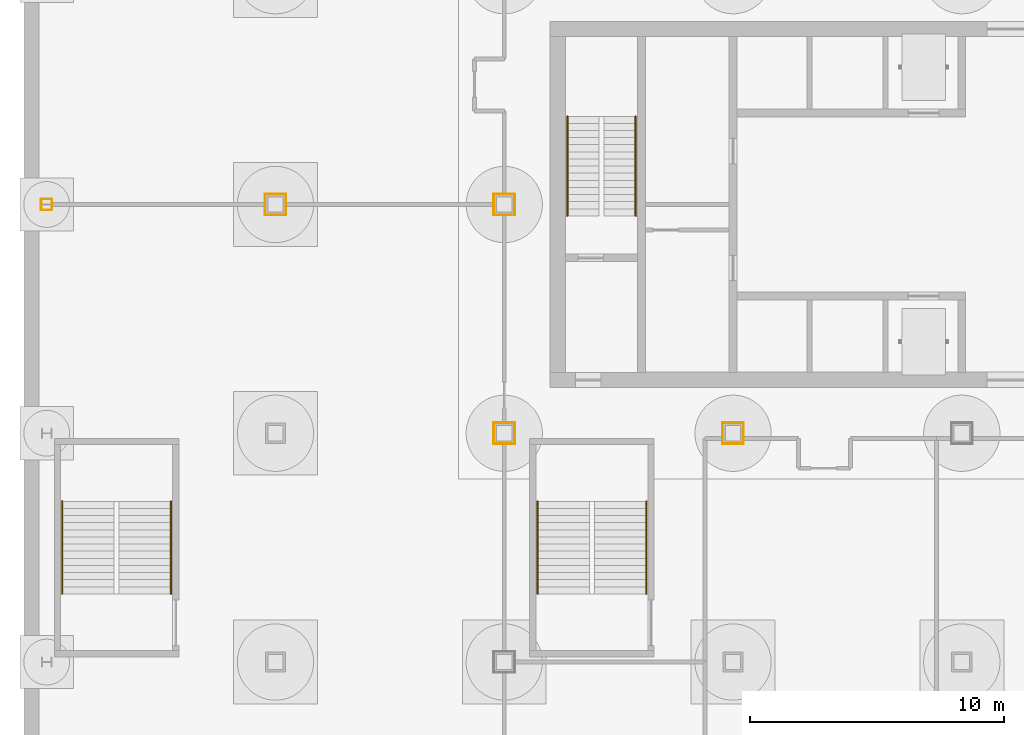
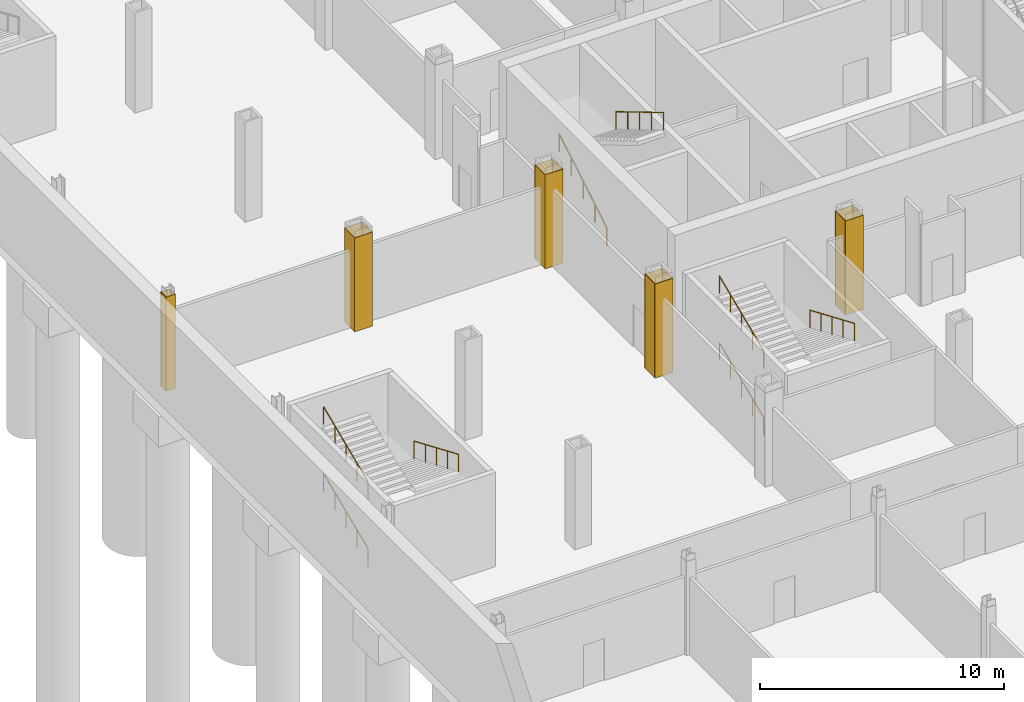
# One storey, part 20 of 28: 20 coverings, 8 railings.
"""IFC4 building model written with IfcOpenShell, lengths in metres."""

from ifc_helpers import new_model, si_unit, direction, frame, origin, origin_2d, place, context, subcontext, project, spatial, rectangle, circle, extrude, material, layer, layer_set, type_object, element, save


model = new_model("IFC4")

# Units and contexts
model_context = context("Model", 3, precision=1e-05, world=origin(), true_north=direction((0.0, 1.0)))
body_context = subcontext(model_context, "Body", "Model", "MODEL_VIEW")
ifc_project = project(units=[si_unit("LENGTHUNIT", "METRE"), si_unit("AREAUNIT", "SQUARE_METRE"), si_unit("VOLUMEUNIT", "CUBIC_METRE"), si_unit("PLANEANGLEUNIT", "RADIAN"), si_unit("MASSUNIT", "GRAM", prefix="KILO")], contexts=[model_context])

# Site, building, storey
site_placement = place(None, origin())
site = spatial("IfcSite", under=ifc_project, at=site_placement, CompositionType="ELEMENT")
building_placement = place(site_placement, origin())
building = spatial("IfcBuilding", under=site, at=building_placement, Name="Loomwork Tower", CompositionType="ELEMENT")
storey_placement = place(building_placement, frame((0.0, 0.0, -10.5)))
storey = spatial("IfcBuildingStorey", under=building, at=storey_placement, Name="B2", CompositionType="ELEMENT", Elevation=-10.5)

# Coverings
ifc_material_1 = material(Name="Two-hour fire-rated gypsum board casing")
ifc_layer = layer(ifc_material_1, 0.02490234375)
ifc_layer_set = layer_set([ifc_layer], Name="Column fire casing 25")
covering_type = type_object("IfcCoveringType", Name="Column fire casing 25", PredefinedType="CLADDING", material=ifc_layer_set)
for number, where, z_axis, x_axis, name in (
    (1, (-9.0, 18.213134765625, 0.0), (0.0, 0.0, 1.0), (1.0, 0.0, 0.0), "Column casing -9 18 B2"),
    (2, (-9.0, 17.786865234375, 0.0), (0.0, 0.0, 1.0), (1.0, 0.0, 0.0), "Column casing -9 18 B2"),
):
    element("IfcCovering", number, at=place(storey_placement, frame(where, z_axis=z_axis, x_axis=x_axis)), inside=storey, type_object=covering_type, Name=name, PredefinedType="CLADDING", context=body_context, shape_type="SweptSolid", body=[
        extrude(rectangle(XDim=0.44873046875, YDim=0.02490234375, at=origin_2d()), origin(), (0.0, 0.0, 1.0), 4.699951171875),
    ])
for number, where, z_axis, x_axis, name in (
    (3, (-8.7880859375, 18.0, 0.0), (0.0, 0.0, 1.0), (1.0, 0.0, 0.0), "Column casing -9 18 B2"),
    (4, (-9.2119140625, 18.0, 0.0), (0.0, 0.0, 1.0), (1.0, 0.0, 0.0), "Column casing -9 18 B2"),
):
    element("IfcCovering", number, at=place(storey_placement, frame(where, z_axis=z_axis, x_axis=x_axis)), inside=storey, type_object=covering_type, Name=name, PredefinedType="CLADDING", context=body_context, shape_type="SweptSolid", body=[
        extrude(rectangle(XDim=0.02490234375, YDim=0.4013671875, at=origin_2d()), origin(), (0.0, 0.0, 1.0), 4.699951171875),
    ])
for number, where, z_axis, x_axis, name in (
    (5, (0.0, 18.41259765625, 0.0), (0.0, 0.0, 1.0), (1.0, 0.0, 0.0), "Column casing 0 18 B2"),
    (6, (0.0, 17.58740234375, 0.0), (0.0, 0.0, 1.0), (1.0, 0.0, 0.0), "Column casing 0 18 B2"),
):
    element("IfcCovering", number, at=place(storey_placement, frame(where, z_axis=z_axis, x_axis=x_axis)), inside=storey, type_object=covering_type, Name=name, PredefinedType="CLADDING", context=body_context, shape_type="SweptSolid", body=[
        extrude(rectangle(XDim=0.85009765625, YDim=0.02490234375, at=origin_2d()), origin(), (0.0, 0.0, 1.0), 4.699951171875),
    ])
for number, where, z_axis, x_axis, name in (
    (7, (0.41259765625, 18.0, 0.0), (0.0, 0.0, 1.0), (1.0, 0.0, 0.0), "Column casing 0 18 B2"),
    (8, (-0.41259765625, 18.0, 0.0), (0.0, 0.0, 1.0), (1.0, 0.0, 0.0), "Column casing 0 18 B2"),
):
    element("IfcCovering", number, at=place(storey_placement, frame(where, z_axis=z_axis, x_axis=x_axis)), inside=storey, type_object=covering_type, Name=name, PredefinedType="CLADDING", context=body_context, shape_type="SweptSolid", body=[
        extrude(rectangle(XDim=0.02490234375, YDim=0.800048828125, at=origin_2d()), origin(), (0.0, 0.0, 1.0), 4.699951171875),
    ])
for number, where, z_axis, x_axis, name in (
    (9, (9.0, 9.41259765625, 0.0), (0.0, 0.0, 1.0), (1.0, 0.0, 0.0), "Column casing 9 9 B2"),
    (10, (9.0, 8.58740234375, 0.0), (0.0, 0.0, 1.0), (1.0, 0.0, 0.0), "Column casing 9 9 B2"),
):
    element("IfcCovering", number, at=place(storey_placement, frame(where, z_axis=z_axis, x_axis=x_axis)), inside=storey, type_object=covering_type, Name=name, PredefinedType="CLADDING", context=body_context, shape_type="SweptSolid", body=[
        extrude(rectangle(XDim=0.85009765625, YDim=0.02490234375, at=origin_2d()), origin(), (0.0, 0.0, 1.0), 4.699951171875),
    ])
for number, where, z_axis, x_axis, name in (
    (11, (9.41259765625, 9.0, 0.0), (0.0, 0.0, 1.0), (1.0, 0.0, 0.0), "Column casing 9 9 B2"),
    (12, (8.58740234375, 9.0, 0.0), (0.0, 0.0, 1.0), (1.0, 0.0, 0.0), "Column casing 9 9 B2"),
):
    element("IfcCovering", number, at=place(storey_placement, frame(where, z_axis=z_axis, x_axis=x_axis)), inside=storey, type_object=covering_type, Name=name, PredefinedType="CLADDING", context=body_context, shape_type="SweptSolid", body=[
        extrude(rectangle(XDim=0.02490234375, YDim=0.800048828125, at=origin_2d()), origin(), (0.0, 0.0, 1.0), 4.699951171875),
    ])
for number, where, z_axis, x_axis, name in (
    (13, (9.0, 18.41259765625, 0.0), (0.0, 0.0, 1.0), (1.0, 0.0, 0.0), "Column casing 9 18 B2"),
    (14, (9.0, 17.58740234375, 0.0), (0.0, 0.0, 1.0), (1.0, 0.0, 0.0), "Column casing 9 18 B2"),
):
    element("IfcCovering", number, at=place(storey_placement, frame(where, z_axis=z_axis, x_axis=x_axis)), inside=storey, type_object=covering_type, Name=name, PredefinedType="CLADDING", context=body_context, shape_type="SweptSolid", body=[
        extrude(rectangle(XDim=0.85009765625, YDim=0.02490234375, at=origin_2d()), origin(), (0.0, 0.0, 1.0), 4.699951171875),
    ])
for number, where, z_axis, x_axis, name in (
    (15, (9.41259765625, 18.0, 0.0), (0.0, 0.0, 1.0), (1.0, 0.0, 0.0), "Column casing 9 18 B2"),
    (16, (8.58740234375, 18.0, 0.0), (0.0, 0.0, 1.0), (1.0, 0.0, 0.0), "Column casing 9 18 B2"),
):
    element("IfcCovering", number, at=place(storey_placement, frame(where, z_axis=z_axis, x_axis=x_axis)), inside=storey, type_object=covering_type, Name=name, PredefinedType="CLADDING", context=body_context, shape_type="SweptSolid", body=[
        extrude(rectangle(XDim=0.02490234375, YDim=0.800048828125, at=origin_2d()), origin(), (0.0, 0.0, 1.0), 4.699951171875),
    ])
for number, where, z_axis, x_axis, name in (
    (17, (18.0, 9.41259765625, 0.0), (0.0, 0.0, 1.0), (1.0, 0.0, 0.0), "Column casing 18 9 B2"),
    (18, (18.0, 8.58740234375, 0.0), (0.0, 0.0, 1.0), (1.0, 0.0, 0.0), "Column casing 18 9 B2"),
):
    element("IfcCovering", number, at=place(storey_placement, frame(where, z_axis=z_axis, x_axis=x_axis)), inside=storey, type_object=covering_type, Name=name, PredefinedType="CLADDING", context=body_context, shape_type="SweptSolid", body=[
        extrude(rectangle(XDim=0.85009765625, YDim=0.02490234375, at=origin_2d()), origin(), (0.0, 0.0, 1.0), 4.699951171875),
    ])
for number, where, z_axis, x_axis, name in (
    (19, (18.41259765625, 9.0, 0.0), (0.0, 0.0, 1.0), (1.0, 0.0, 0.0), "Column casing 18 9 B2"),
    (20, (17.58740234375, 9.0, 0.0), (0.0, 0.0, 1.0), (1.0, 0.0, 0.0), "Column casing 18 9 B2"),
):
    element("IfcCovering", number, at=place(storey_placement, frame(where, z_axis=z_axis, x_axis=x_axis)), inside=storey, type_object=covering_type, Name=name, PredefinedType="CLADDING", context=body_context, shape_type="SweptSolid", body=[
        extrude(rectangle(XDim=0.02490234375, YDim=0.800048828125, at=origin_2d()), origin(), (0.0, 0.0, 1.0), 4.699951171875),
    ])

# Railings
ifc_material_2 = material(Name="Stainless steel handrail", Category="steel")
railing_type = type_object("IfcRailingType", Name="Handrail 900", PredefinedType="HANDRAIL", material=ifc_material_2)
railing_1_placement = place(storey_placement, frame((11.485107421875, 17.550048828125, 0.166748046875)))
element("IfcRailing", 21, at=railing_1_placement, inside=storey, type_object=railing_type, Name="Stair A handrail flight 1 B2", PredefinedType="HANDRAIL", context=body_context, shape_type="SweptSolid", body=[
    extrude(circle(Radius=0.02392578125, at=origin_2d()), frame((0.0, 0.0, 0.8759765625), z_axis=(0.0, 0.859296244711, 0.511478214419), x_axis=(-1.0, 0.0, 0.0)), (0.0, 0.0, 1.0), 4.561767578125),
    extrude(circle(Radius=0.02099609375, at=origin_2d()), origin(), (0.0, 0.0, 1.0), 0.851806640625),
    extrude(circle(Radius=0.02099609375, at=origin_2d()), frame((0.0, 0.97998046875, 0.583251953125)), (0.0, 0.0, 1.0), 0.851806640625),
    extrude(circle(Radius=0.02099609375, at=origin_2d()), frame((0.0, 1.9599609375, 1.16650390625)), (0.0, 0.0, 1.0), 0.851806640625),
    extrude(circle(Radius=0.02099609375, at=origin_2d()), frame((0.0, 2.93994140625, 1.75)), (0.0, 0.0, 1.0), 0.851806640625),
    extrude(circle(Radius=0.02099609375, at=origin_2d()), frame((0.0, 3.919921875, 2.333251953125)), (0.0, 0.0, 1.0), 0.851806640625),
])
railing_2_placement = place(storey_placement, frame((14.1650390625, 21.469970703125, 2.666748046875)))
element("IfcRailing", 22, at=railing_2_placement, inside=storey, type_object=railing_type, Name="Stair A handrail flight 2 B2", PredefinedType="HANDRAIL", context=body_context, shape_type="SweptSolid", body=[
    extrude(circle(Radius=0.02392578125, at=origin_2d()), frame((0.0, 0.0, 0.8759765625), z_axis=(0.0, -0.859296244711, 0.511478214419), x_axis=(1.0, 0.0, 0.0)), (0.0, 0.0, 1.0), 4.561767578125),
    extrude(circle(Radius=0.02099609375, at=origin_2d()), origin(), (0.0, 0.0, 1.0), 0.851806640625),
    extrude(circle(Radius=0.02099609375, at=origin_2d()), frame((0.0, -0.97998046875, 0.583251953125)), (0.0, 0.0, 1.0), 0.851806640625),
    extrude(circle(Radius=0.02099609375, at=origin_2d()), frame((0.0, -1.9599609375, 1.16650390625)), (0.0, 0.0, 1.0), 0.851806640625),
    extrude(circle(Radius=0.02099609375, at=origin_2d()), frame((0.0, -2.93994140625, 1.75)), (0.0, 0.0, 1.0), 0.851806640625),
    extrude(circle(Radius=0.02099609375, at=origin_2d()), frame((0.0, -3.919921875, 2.333251953125)), (0.0, 0.0, 1.0), 0.851806640625),
])
railing_3_placement = place(storey_placement, frame((-8.389892578125, 2.679931640625, 0.118896484375)))
element("IfcRailing", 23, at=railing_3_placement, inside=storey, type_object=railing_type, Name="Podium stair PS5 handrail flight 1 B2", PredefinedType="HANDRAIL", context=body_context, shape_type="SweptSolid", body=[
    extrude(circle(Radius=0.02392578125, at=origin_2d()), frame((0.0, 0.0, 0.8759765625), z_axis=(0.0, 0.920258693564, 0.391310537706), x_axis=(-1.0, 0.0, 0.0)), (0.0, 0.0, 1.0), 3.95556640625),
    extrude(circle(Radius=0.02099609375, at=origin_2d()), origin(), (0.0, 0.0, 1.0), 0.851806640625),
    extrude(circle(Radius=0.02099609375, at=origin_2d()), frame((0.0, 0.91015625, 0.386962890625)), (0.0, 0.0, 1.0), 0.851806640625),
    extrude(circle(Radius=0.02099609375, at=origin_2d()), frame((0.0, 1.820068359375, 0.77392578125)), (0.0, 0.0, 1.0), 0.851806640625),
    extrude(circle(Radius=0.02099609375, at=origin_2d()), frame((0.0, 2.72998046875, 1.160888671875)), (0.0, 0.0, 1.0), 0.851806640625),
    extrude(circle(Radius=0.02099609375, at=origin_2d()), frame((0.0, 3.64013671875, 1.5478515625)), (0.0, 0.0, 1.0), 0.851806640625),
])
railing_4_placement = place(storey_placement, frame((-4.110107421875, 6.320068359375, 1.78564453125)))
element("IfcRailing", 24, at=railing_4_placement, inside=storey, type_object=railing_type, Name="Podium stair PS5 handrail flight 2 B2", PredefinedType="HANDRAIL", context=body_context, shape_type="SweptSolid", body=[
    extrude(circle(Radius=0.02392578125, at=origin_2d()), frame((0.0, 0.0, 0.8759765625), z_axis=(0.0, -0.920258693564, 0.391310537706), x_axis=(1.0, 0.0, 0.0)), (0.0, 0.0, 1.0), 3.95556640625),
    extrude(circle(Radius=0.02099609375, at=origin_2d()), origin(), (0.0, 0.0, 1.0), 0.851806640625),
    extrude(circle(Radius=0.02099609375, at=origin_2d()), frame((0.0, -0.91015625, 0.386962890625)), (0.0, 0.0, 1.0), 0.851806640625),
    extrude(circle(Radius=0.02099609375, at=origin_2d()), frame((0.0, -1.820068359375, 0.77392578125)), (0.0, 0.0, 1.0), 0.851806640625),
    extrude(circle(Radius=0.02099609375, at=origin_2d()), frame((0.0, -2.72998046875, 1.160888671875)), (0.0, 0.0, 1.0), 0.851806640625),
    extrude(circle(Radius=0.02099609375, at=origin_2d()), frame((0.0, -3.64013671875, 1.5478515625)), (0.0, 0.0, 1.0), 0.851806640625),
])
railing_5_placement = place(storey_placement, frame((-8.389892578125, 2.679931640625, 3.452392578125)))
element("IfcRailing", 25, at=railing_5_placement, inside=storey, type_object=railing_type, Name="Podium stair PS5 handrail flight 3 B2", PredefinedType="HANDRAIL", context=body_context, shape_type="SweptSolid", body=[
    extrude(circle(Radius=0.02392578125, at=origin_2d()), frame((0.0, 0.0, 0.8759765625), z_axis=(0.0, 0.920280918742, 0.391258265855), x_axis=(-1.0, 0.0, 0.0)), (0.0, 0.0, 1.0), 3.95556640625),
    extrude(circle(Radius=0.02099609375, at=origin_2d()), origin(), (0.0, 0.0, 1.0), 0.851806640625),
    extrude(circle(Radius=0.02099609375, at=origin_2d()), frame((0.0, 0.91015625, 0.386962890625)), (0.0, 0.0, 1.0), 0.851806640625),
    extrude(circle(Radius=0.02099609375, at=origin_2d()), frame((0.0, 1.820068359375, 0.77392578125)), (0.0, 0.0, 1.0), 0.851806640625),
    extrude(circle(Radius=0.02099609375, at=origin_2d()), frame((0.0, 2.72998046875, 1.16064453125)), (0.0, 0.0, 1.0), 0.851806640625),
    extrude(circle(Radius=0.02099609375, at=origin_2d()), frame((0.0, 3.64013671875, 1.547607421875)), (0.0, 0.0, 1.0), 0.851806640625),
])
railing_6_placement = place(storey_placement, frame((10.31005859375, 2.679931640625, 0.118896484375)))
element("IfcRailing", 26, at=railing_6_placement, inside=storey, type_object=railing_type, Name="Podium stair PS12 handrail flight 1 B2", PredefinedType="HANDRAIL", context=body_context, shape_type="SweptSolid", body=[
    extrude(circle(Radius=0.02392578125, at=origin_2d()), frame((0.0, 0.0, 0.8759765625), z_axis=(0.0, 0.920258693564, 0.391310537706), x_axis=(-1.0, 0.0, 0.0)), (0.0, 0.0, 1.0), 3.95556640625),
    extrude(circle(Radius=0.02099609375, at=origin_2d()), origin(), (0.0, 0.0, 1.0), 0.851806640625),
    extrude(circle(Radius=0.02099609375, at=origin_2d()), frame((0.0, 0.91015625, 0.386962890625)), (0.0, 0.0, 1.0), 0.851806640625),
    extrude(circle(Radius=0.02099609375, at=origin_2d()), frame((0.0, 1.820068359375, 0.77392578125)), (0.0, 0.0, 1.0), 0.851806640625),
    extrude(circle(Radius=0.02099609375, at=origin_2d()), frame((0.0, 2.72998046875, 1.160888671875)), (0.0, 0.0, 1.0), 0.851806640625),
    extrude(circle(Radius=0.02099609375, at=origin_2d()), frame((0.0, 3.64013671875, 1.5478515625)), (0.0, 0.0, 1.0), 0.851806640625),
])
railing_7_placement = place(storey_placement, frame((14.590087890625, 6.320068359375, 1.78564453125)))
element("IfcRailing", 27, at=railing_7_placement, inside=storey, type_object=railing_type, Name="Podium stair PS12 handrail flight 2 B2", PredefinedType="HANDRAIL", context=body_context, shape_type="SweptSolid", body=[
    extrude(circle(Radius=0.02392578125, at=origin_2d()), frame((0.0, 0.0, 0.8759765625), z_axis=(0.0, -0.920258693564, 0.391310537706), x_axis=(1.0, 0.0, 0.0)), (0.0, 0.0, 1.0), 3.95556640625),
    extrude(circle(Radius=0.02099609375, at=origin_2d()), origin(), (0.0, 0.0, 1.0), 0.851806640625),
    extrude(circle(Radius=0.02099609375, at=origin_2d()), frame((0.0, -0.91015625, 0.386962890625)), (0.0, 0.0, 1.0), 0.851806640625),
    extrude(circle(Radius=0.02099609375, at=origin_2d()), frame((0.0, -1.820068359375, 0.77392578125)), (0.0, 0.0, 1.0), 0.851806640625),
    extrude(circle(Radius=0.02099609375, at=origin_2d()), frame((0.0, -2.72998046875, 1.160888671875)), (0.0, 0.0, 1.0), 0.851806640625),
    extrude(circle(Radius=0.02099609375, at=origin_2d()), frame((0.0, -3.64013671875, 1.5478515625)), (0.0, 0.0, 1.0), 0.851806640625),
])
railing_8_placement = place(storey_placement, frame((10.31005859375, 2.679931640625, 3.452392578125)))
element("IfcRailing", 28, at=railing_8_placement, inside=storey, type_object=railing_type, Name="Podium stair PS12 handrail flight 3 B2", PredefinedType="HANDRAIL", context=body_context, shape_type="SweptSolid", body=[
    extrude(circle(Radius=0.02392578125, at=origin_2d()), frame((0.0, 0.0, 0.8759765625), z_axis=(0.0, 0.920280918742, 0.391258265855), x_axis=(-1.0, 0.0, 0.0)), (0.0, 0.0, 1.0), 3.95556640625),
    extrude(circle(Radius=0.02099609375, at=origin_2d()), origin(), (0.0, 0.0, 1.0), 0.851806640625),
    extrude(circle(Radius=0.02099609375, at=origin_2d()), frame((0.0, 0.91015625, 0.386962890625)), (0.0, 0.0, 1.0), 0.851806640625),
    extrude(circle(Radius=0.02099609375, at=origin_2d()), frame((0.0, 1.820068359375, 0.77392578125)), (0.0, 0.0, 1.0), 0.851806640625),
    extrude(circle(Radius=0.02099609375, at=origin_2d()), frame((0.0, 2.72998046875, 1.16064453125)), (0.0, 0.0, 1.0), 0.851806640625),
    extrude(circle(Radius=0.02099609375, at=origin_2d()), frame((0.0, 3.64013671875, 1.547607421875)), (0.0, 0.0, 1.0), 0.851806640625),
])

save(model, "model.ifc")
